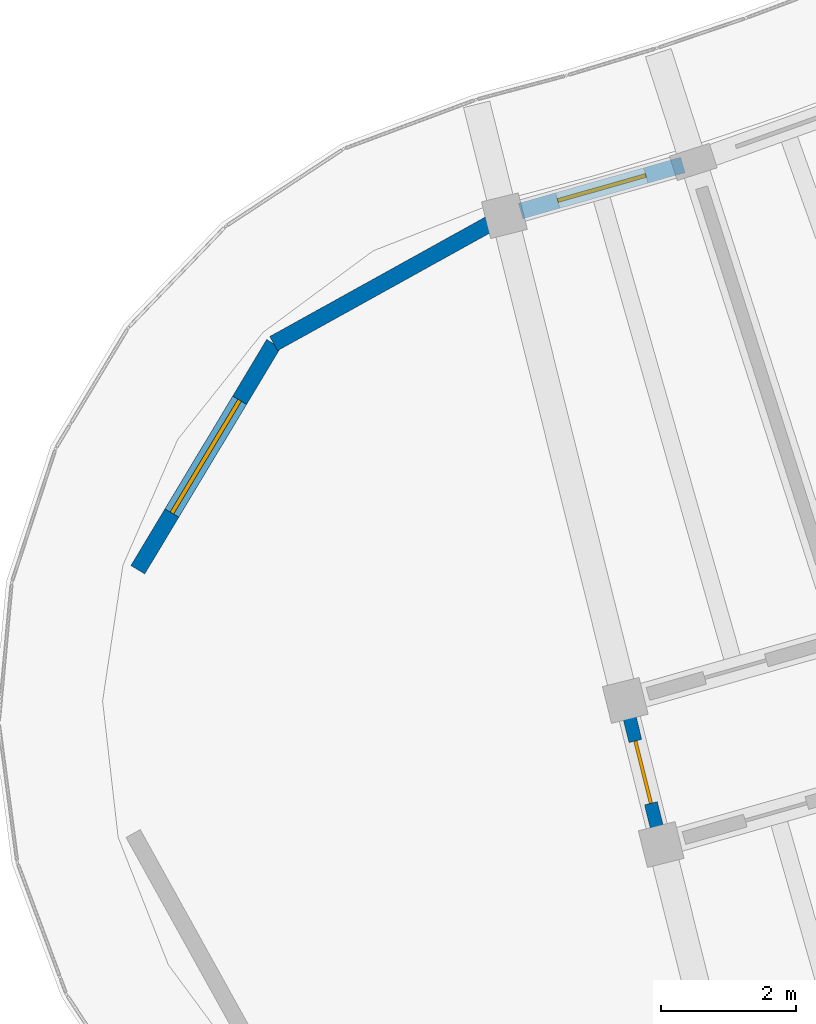
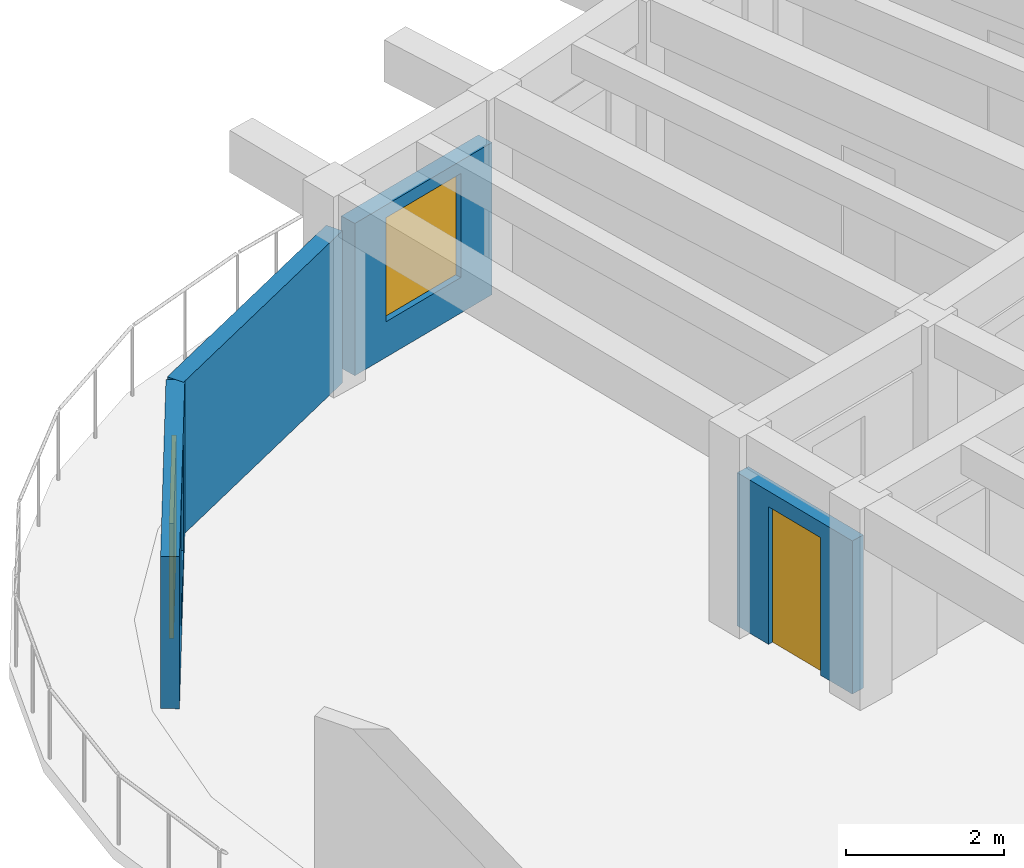
# One storey, part 59 of 96: 4 walls, 2 windows, 1 door, 3 openings.
"""IFC4 building model written with IfcOpenShell, lengths in metres."""

from ifc_helpers import new_model, si_unit, direction, frame, frame_2d, origin, place, context, subcontext, project, spatial, rectangle, extrude, material, layer, layer_set, type_object, element, fill, save


model = new_model("IFC4")

# Units and contexts
model_context = context("Model", 3, precision=1e-05, world=origin(), true_north=direction((0.0, 1.0)))
body_context = subcontext(model_context, "Body", "Model", "MODEL_VIEW")
ifc_project = project(units=[si_unit("LENGTHUNIT", "METRE"), si_unit("AREAUNIT", "SQUARE_METRE"), si_unit("VOLUMEUNIT", "CUBIC_METRE"), si_unit("PLANEANGLEUNIT", "RADIAN"), si_unit("MASSUNIT", "GRAM", prefix="KILO")], contexts=[model_context])

# Site, building, storey
site_placement = place(None, origin())
site = spatial("IfcSite", under=ifc_project, at=site_placement, CompositionType="ELEMENT")
building_placement = place(site_placement, origin())
building = spatial("IfcBuilding", under=site, at=building_placement, Name="Tanwirah Colonnade Gardens", CompositionType="ELEMENT")
storey_placement = place(building_placement, frame((0.0, 0.0, 12.199951171875)))
storey = spatial("IfcBuildingStorey", under=building, at=storey_placement, Name="L03", CompositionType="ELEMENT", Elevation=12.199951171875)

# Wall, opening, window
ifc_material_1 = material(Name="Limestone architectural precast concrete C40/50", Category="masonry")
ifc_layer_1 = layer(ifc_material_1, 0.239990234375)
ifc_layer_set_1 = layer_set([ifc_layer_1], Name="Limestone architectural precast concrete C40/50")
wall_type_1 = type_object("IfcWallType", Name="EW-PC240", PredefinedType="SOLIDWALL", material=ifc_layer_set_1)
wall_1_placement = place(storey_placement, frame((131.993896484375, 21.438720703125, 0.0), z_axis=(0.0, 0.0, 1.0), x_axis=(0.961847744742, 0.273585299195, 0.0)))
wall_1 = element("IfcWall", 1, at=wall_1_placement, inside=storey, type_object=wall_type_1, Name="Block D L03 IN Precast Facade Wall 0", PredefinedType="SOLIDWALL", context=body_context, shape_type="SweptSolid", body=[
    extrude(rectangle(XDim=2.49853515625, YDim=0.239990234375, at=frame_2d((1.249267578125, 0.0))), origin(), (0.0, 0.0, 1.0), 2.35498046875),
])
opening_1_placement = place(wall_1_placement, frame((0.5693359375, 0.0, 0.550048828125)))
opening_1 = element("IfcOpeningElement", 2, at=opening_1_placement, cuts=wall_1, Name="Opening WIN-U06", PredefinedType="OPENING", context=body_context, shape_type="SweptSolid", body=[
    extrude(rectangle(XDim=1.360107421875, YDim=1.610107421875, at=frame_2d((0.68017578125, 0.80517578125))), frame((0.0, 0.1298828125, 0.0), z_axis=(0.0, -1.0, 0.0), x_axis=(1.0, 0.0, 0.0)), (0.0, 0.0, 1.0), 0.260009765625),
])
ifc_material_2 = material(Name="Thermally broken bronze aluminium and solar low-E double glazing", Category="aluminium")
window_type_1 = type_object("IfcWindowType", Name="WIN-U06", PartitioningType="DOUBLE_PANEL_VERTICAL", PredefinedType="WINDOW", material=ifc_material_2)
window_1_placement = place(opening_1_placement, origin())
window_1 = element("IfcWindow", 3, at=window_1_placement, inside=storey, type_object=window_type_1, Name="Facade window D-L03-IN-00", OverallHeight=1.610107421875, OverallWidth=1.360107421875, PartitioningType="SINGLE_PANEL", PredefinedType="WINDOW", context=body_context, shape_type="SweptSolid", body=[
    extrude(rectangle(XDim=1.360107421875, YDim=1.610107421875, at=frame_2d((0.68017578125, 0.80517578125))), frame((0.0, 0.030029296875, 0.0), z_axis=(0.0, -1.0, 0.0), x_axis=(1.0, 0.0, 0.0)), (0.0, 0.0, 1.0), 0.06005859375),
])
fill(opening_1, window_1)

wall_2_placement = place(storey_placement, frame((126.322509765625, 16.125732421875, 0.0), z_axis=(0.0, 0.0, 1.0), x_axis=(0.515019321998, 0.857178568309, 0.0)))
wall_2 = element("IfcWall", 4, at=wall_2_placement, inside=storey, type_object=wall_type_1, Name="Block D L03 START Rounded End Wall 4", PredefinedType="SOLIDWALL", context=body_context, shape_type="SweptSolid", body=[
    extrude(rectangle(XDim=3.907958984375, YDim=0.239990234375, at=frame_2d((1.9541015625, 0.0))), origin(), (0.0, 0.0, 1.0), 2.35498046875),
])
opening_2_placement = place(wall_2_placement, frame((0.97900390625, 0.0, 0.39990234375)))
opening_2 = element("IfcOpeningElement", 5, at=opening_2_placement, cuts=wall_2, Name="Opening WIN-END2", PredefinedType="OPENING", context=body_context, shape_type="SweptSolid", body=[
    extrude(rectangle(XDim=1.949951171875, YDim=1.780029296875, at=frame_2d((0.97509765625, 0.89013671875))), frame((0.0, 0.1298828125, 0.0), z_axis=(0.0, -1.0, 0.0), x_axis=(1.0, 0.0, 0.0)), (0.0, 0.0, 1.0), 0.260009765625),
])
window_type_2 = type_object("IfcWindowType", Name="WIN-END2", PartitioningType="TRIPLE_PANEL_VERTICAL", PredefinedType="WINDOW", material=ifc_material_2)
window_2_placement = place(opening_2_placement, origin())
window_2 = element("IfcWindow", 6, at=window_2_placement, inside=storey, type_object=window_type_2, Name="Rounded corner window D-L03-START-4", OverallHeight=1.780029296875, OverallWidth=1.949951171875, PartitioningType="SINGLE_PANEL", PredefinedType="WINDOW", context=body_context, shape_type="SweptSolid", body=[
    extrude(rectangle(XDim=1.949951171875, YDim=1.780029296875, at=frame_2d((0.97509765625, 0.89013671875))), frame((0.0, 0.030029296875, 0.0), z_axis=(0.0, -1.0, 0.0), x_axis=(1.0, 0.0, 0.0)), (0.0, 0.0, 1.0), 0.06005859375),
])
fill(opening_2, window_2)

# Wall
wall_3_placement = place(storey_placement, frame((128.335205078125, 19.4755859375, 0.0), z_axis=(0.0, 0.0, 1.0), x_axis=(0.874616555828, 0.48481530532, 0.0)))
element("IfcWall", 7, at=wall_3_placement, inside=storey, type_object=wall_type_1, Name="Block D L03 START Rounded End Wall 5", PredefinedType="SOLIDWALL", context=body_context, shape_type="SweptSolid", body=[
    extrude(rectangle(XDim=3.908203125, YDim=0.239990234375, at=frame_2d((1.9541015625, 0.0))), origin(), (0.0, 0.0, 1.0), 2.35498046875),
])

# Wall, opening, door
ifc_material_3 = material(Name="Precast concrete C40/50", Category="concrete")
ifc_layer_2 = layer(ifc_material_3, 0.195068359375)
ifc_layer_set_2 = layer_set([ifc_layer_2], Name="Precast concrete C40/50")
wall_type_2 = type_object("IfcWallType", Name="IW-CORR195", PredefinedType="PARTITIONING", material=ifc_layer_set_2)
wall_4_placement = place(storey_placement, frame((133.5556640625, 14.1416015625, 0.0), z_axis=(0.0, 0.0, 1.0), x_axis=(0.241933770084, -0.970292765557, 0.0)))
wall_4 = element("IfcWall", 8, at=wall_4_placement, inside=storey, type_object=wall_type_2, Name="Block D L03 CS Corner Suite Corridor Wall", PredefinedType="PARTITIONING", context=body_context, shape_type="SweptSolid", body=[
    extrude(rectangle(XDim=2.10009765625, YDim=0.195068359375, at=frame_2d((1.050048828125, 0.0))), origin(), (0.0, 0.0, 1.0), 2.3701171875),
])
opening_3_placement = place(wall_4_placement, frame((0.570068359375, 0.0, 0.0)))
opening_3 = element("IfcOpeningElement", 9, at=opening_3_placement, cuts=wall_4, Name="Opening L03-CD1798", PredefinedType="OPENING", context=body_context, shape_type="SweptSolid", body=[
    extrude(rectangle(XDim=0.949951171875, YDim=2.1298828125, at=frame_2d((0.47509765625, 1.06494140625))), frame((0.0, 0.107421875, 0.0), z_axis=(0.0, -1.0, 0.0), x_axis=(1.0, 0.0, 0.0)), (0.0, 0.0, 1.0), 0.215087890625),
])
ifc_material_4 = material(Name="Solid oak fire-resisting apartment entrance door")
door_type = type_object("IfcDoorType", Name="ID-FLT095", OperationType="NOTDEFINED", PredefinedType="DOOR", material=ifc_material_4)
door_placement = place(opening_3_placement, origin())
door = element("IfcDoor", 10, at=door_placement, inside=storey, type_object=door_type, Name="Corner suite entrance door L03-CD1798", OperationType="SINGLE_SWING_LEFT", OverallHeight=2.1298828125, OverallWidth=0.949951171875, PredefinedType="DOOR", context=body_context, shape_type="SweptSolid", body=[
    extrude(rectangle(XDim=0.949951171875, YDim=2.1298828125, at=frame_2d((0.47509765625, 1.06494140625))), frame((0.0, 0.02490234375, 0.0), z_axis=(0.0, -1.0, 0.0), x_axis=(1.0, 0.0, 0.0)), (0.0, 0.0, 1.0), 0.050048828125),
])
fill(opening_3, door)

save(model, "model.ifc")
